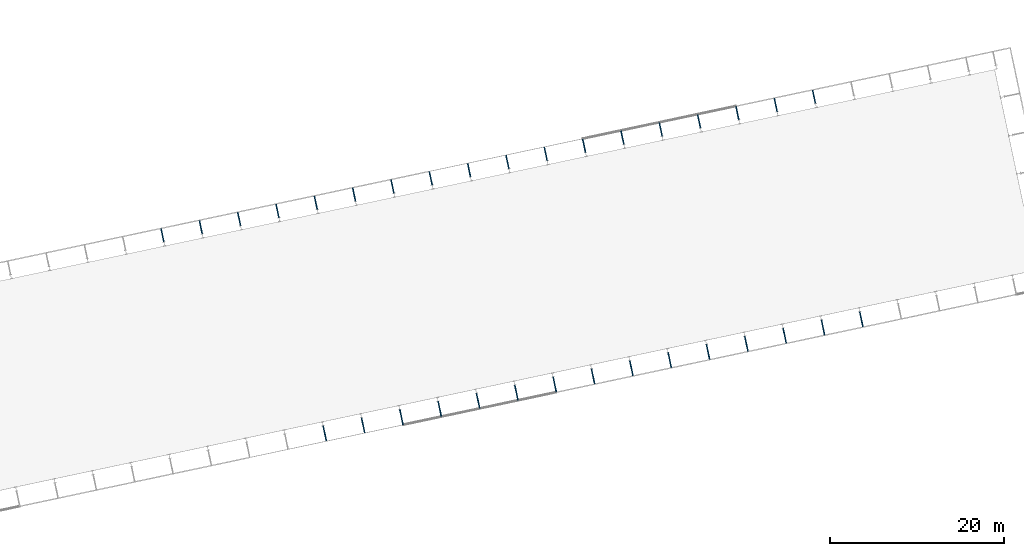
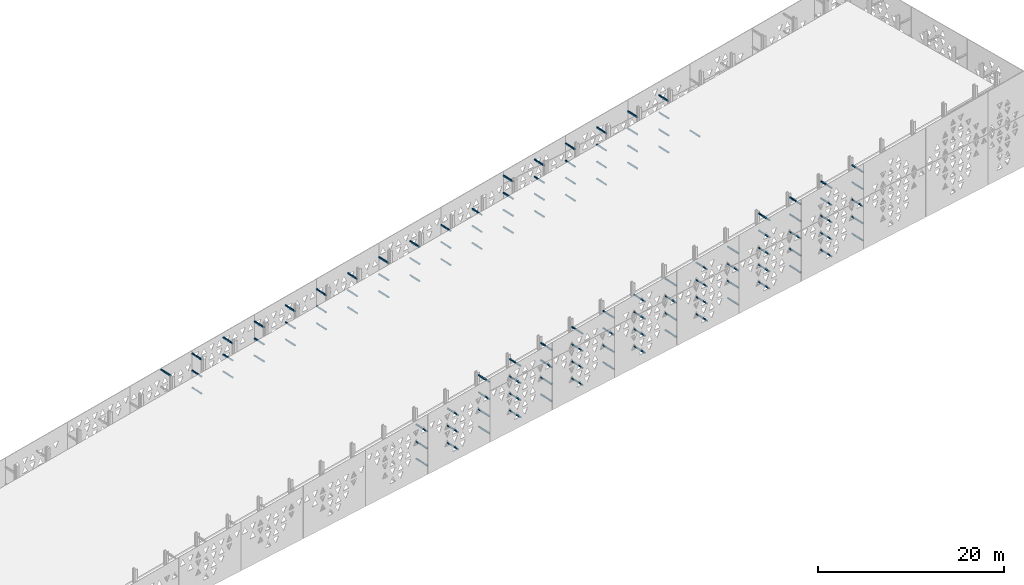
# One storey, part 32 of 41: 118 discrete accessories.
"""IFC4 building model written with IfcOpenShell, lengths in metres."""

from ifc_helpers import new_model, si_unit, direction, frame, origin, origin_2d, place, context, subcontext, project, spatial, rectangle, extrude, material, material_profile, profile_set, type_object, element, save


model = new_model("IFC4")

# Units and contexts
model_context = context("Model", 3, precision=1e-05, world=origin(), true_north=direction((0.0, 1.0)))
body_context = subcontext(model_context, "Body", "Model", "MODEL_VIEW")
ifc_project = project(units=[si_unit("LENGTHUNIT", "METRE"), si_unit("AREAUNIT", "SQUARE_METRE"), si_unit("VOLUMEUNIT", "CUBIC_METRE"), si_unit("PLANEANGLEUNIT", "RADIAN"), si_unit("MASSUNIT", "GRAM", prefix="KILO")], contexts=[model_context])

# Site, building, storey
site_placement = place(None, origin())
site = spatial("IfcSite", under=ifc_project, at=site_placement, CompositionType="ELEMENT")
building_placement = place(site_placement, origin())
building = spatial("IfcBuilding", under=site, at=building_placement, Name="Okhra Congress Centre", CompositionType="ELEMENT")
storey_placement = place(building_placement, frame((0.0, 0.0, 21.60009765625)))
storey = spatial("IfcBuildingStorey", under=building, at=storey_placement, Name="ROOF", CompositionType="ELEMENT", Elevation=21.60009765625)

# Discrete accessories
ifc_material = material(Name="Steel S355J2 outrigger, galvanised", Category="steel")
ifc_material_profile = material_profile(ifc_material, rectangle(XDim=0.1201171875, YDim=0.1201171875, at=origin_2d()), Name="Screen outrigger bracket 120x120")
ifc_profile_set = profile_set([ifc_material_profile], Name="Steel S355J2 outrigger, galvanised")
discrete_accessory_type = type_object("IfcDiscreteAccessoryType", Name="Screen outrigger bracket 120x120", PredefinedType="BRACKET", material=ifc_profile_set)
for number, where, z_axis, x_axis, name in (
    (1, (117.5986328125, 63.598388671875, 5.809814453125), (-0.207952044176, 0.978139022493, 0.0), (-0.978139022493, -0.207952044176, 0.0), "Screen outrigger 242"),
    (2, (122.000244140625, 64.533935546875, 1.329833984375), (-0.207802780084, 0.978170744088, 0.0), (-0.978170744088, -0.207802780084, 0.0), "Screen outrigger 258"),
    (3, (122.000244140625, 64.533935546875, 3.56982421875), (-0.207802780084, 0.978170744088, 0.0), (-0.978170744088, -0.207802780084, 0.0), "Screen outrigger 259"),
    (4, (122.000244140625, 64.533935546875, 5.809814453125), (-0.207802780084, 0.978170744088, 0.0), (-0.978170744088, -0.207802780084, 0.0), "Screen outrigger 260"),
    (5, (126.402099609375, 65.4697265625, 1.329833984375), (-0.207952044176, 0.978139022493, 0.0), (-0.978139022493, -0.207952044176, 0.0), "Screen outrigger 276"),
    (6, (126.402099609375, 65.4697265625, 3.56982421875), (-0.207952044176, 0.978139022493, 0.0), (-0.978139022493, -0.207952044176, 0.0), "Screen outrigger 277"),
    (7, (126.402099609375, 65.4697265625, 5.809814453125), (-0.207952044176, 0.978139022493, 0.0), (-0.978139022493, -0.207952044176, 0.0), "Screen outrigger 278"),
):
    element("IfcDiscreteAccessory", number, at=place(storey_placement, frame(where, z_axis=z_axis, x_axis=x_axis)), inside=storey, type_object=discrete_accessory_type, Name=name, PredefinedType="BRACKET", context=body_context, shape_type="SweptSolid", body=[
        extrude(rectangle(XDim=0.1201171875, YDim=0.1201171875, at=origin_2d()), origin(), (0.0, 0.0, 1.0), 1.56494140625),
    ])
for number, where, z_axis, x_axis, name in (
    (8, (135.885009765625, 42.499267578125, 1.329833984375), (0.207913352163, -0.978147247602, 0.0), (0.978147247602, 0.207913352163, 0.0), "Screen outrigger 285"),
    (9, (135.885009765625, 42.499267578125, 3.56982421875), (0.207913352163, -0.978147247602, 0.0), (0.978147247602, 0.207913352163, 0.0), "Screen outrigger 286"),
    (10, (135.885009765625, 42.499267578125, 5.809814453125), (0.207913352163, -0.978147247602, 0.0), (0.978147247602, 0.207913352163, 0.0), "Screen outrigger 287"),
):
    element("IfcDiscreteAccessory", number, at=place(storey_placement, frame(where, z_axis=z_axis, x_axis=x_axis)), inside=storey, type_object=discrete_accessory_type, Name=name, PredefinedType="BRACKET", context=body_context, shape_type="SweptSolid", body=[
        extrude(rectangle(XDim=0.1201171875, YDim=0.1201171875, at=origin_2d()), origin(), (0.0, 0.0, 1.0), 1.764892578125),
    ])
for number, where, z_axis, x_axis, name in (
    (11, (130.8037109375, 66.4052734375, 1.329833984375), (-0.207952044176, 0.978139022493, 0.0), (-0.978139022493, -0.207952044176, 0.0), "Screen outrigger 294"),
    (12, (130.8037109375, 66.4052734375, 3.56982421875), (-0.207952044176, 0.978139022493, 0.0), (-0.978139022493, -0.207952044176, 0.0), "Screen outrigger 295"),
    (13, (130.8037109375, 66.4052734375, 5.809814453125), (-0.207952044176, 0.978139022493, 0.0), (-0.978139022493, -0.207952044176, 0.0), "Screen outrigger 296"),
):
    element("IfcDiscreteAccessory", number, at=place(storey_placement, frame(where, z_axis=z_axis, x_axis=x_axis)), inside=storey, type_object=discrete_accessory_type, Name=name, PredefinedType="BRACKET", context=body_context, shape_type="SweptSolid", body=[
        extrude(rectangle(XDim=0.1201171875, YDim=0.1201171875, at=origin_2d()), origin(), (0.0, 0.0, 1.0), 1.56494140625),
    ])
for number, where, z_axis, x_axis, name in (
    (14, (140.28662109375, 43.434814453125, 1.329833984375), (0.207913352163, -0.978147247602, 0.0), (0.978147247602, 0.207913352163, 0.0), "Screen outrigger 303"),
    (15, (140.28662109375, 43.434814453125, 3.56982421875), (0.207913352163, -0.978147247602, 0.0), (0.978147247602, 0.207913352163, 0.0), "Screen outrigger 304"),
    (16, (140.28662109375, 43.434814453125, 5.809814453125), (0.207913352163, -0.978147247602, 0.0), (0.978147247602, 0.207913352163, 0.0), "Screen outrigger 305"),
):
    element("IfcDiscreteAccessory", number, at=place(storey_placement, frame(where, z_axis=z_axis, x_axis=x_axis)), inside=storey, type_object=discrete_accessory_type, Name=name, PredefinedType="BRACKET", context=body_context, shape_type="SweptSolid", body=[
        extrude(rectangle(XDim=0.1201171875, YDim=0.1201171875, at=origin_2d()), origin(), (0.0, 0.0, 1.0), 1.764892578125),
    ])
for number, where, z_axis, x_axis, name in (
    (17, (135.205322265625, 67.3408203125, 1.329833984375), (-0.207952044176, 0.978139022493, 0.0), (-0.978139022493, -0.207952044176, 0.0), "Screen outrigger 312"),
    (18, (135.205322265625, 67.3408203125, 3.56982421875), (-0.207952044176, 0.978139022493, 0.0), (-0.978139022493, -0.207952044176, 0.0), "Screen outrigger 313"),
    (19, (135.205322265625, 67.3408203125, 5.809814453125), (-0.207952044176, 0.978139022493, 0.0), (-0.978139022493, -0.207952044176, 0.0), "Screen outrigger 314"),
):
    element("IfcDiscreteAccessory", number, at=place(storey_placement, frame(where, z_axis=z_axis, x_axis=x_axis)), inside=storey, type_object=discrete_accessory_type, Name=name, PredefinedType="BRACKET", context=body_context, shape_type="SweptSolid", body=[
        extrude(rectangle(XDim=0.1201171875, YDim=0.1201171875, at=origin_2d()), origin(), (0.0, 0.0, 1.0), 1.56494140625),
    ])
for number, where, z_axis, x_axis, name in (
    (20, (144.688232421875, 44.37060546875, 1.329833984375), (0.208017553693, -0.978125092897, 0.0), (0.978125092897, 0.208017553693, 0.0), "Screen outrigger 321"),
    (21, (144.688232421875, 44.37060546875, 3.56982421875), (0.208017553693, -0.978125092897, 0.0), (0.978125092897, 0.208017553693, 0.0), "Screen outrigger 322"),
    (22, (144.688232421875, 44.37060546875, 5.809814453125), (0.208017553693, -0.978125092897, 0.0), (0.978125092897, 0.208017553693, 0.0), "Screen outrigger 323"),
    (23, (144.688232421875, 44.37060546875, 8.06982421875), (0.208017553693, -0.978125092897, 0.0), (0.978125092897, 0.208017553693, 0.0), "Screen outrigger 324"),
):
    element("IfcDiscreteAccessory", number, at=place(storey_placement, frame(where, z_axis=z_axis, x_axis=x_axis)), inside=storey, type_object=discrete_accessory_type, Name=name, PredefinedType="BRACKET", context=body_context, shape_type="SweptSolid", body=[
        extrude(rectangle(XDim=0.1201171875, YDim=0.1201171875, at=origin_2d()), origin(), (0.0, 0.0, 1.0), 1.76513671875),
    ])
for number, where, z_axis, x_axis, name in (
    (24, (139.60693359375, 68.2763671875, 1.329833984375), (-0.207952044176, 0.978139022493, 0.0), (-0.978139022493, -0.207952044176, 0.0), "Screen outrigger 331"),
    (25, (139.60693359375, 68.2763671875, 3.56982421875), (-0.207952044176, 0.978139022493, 0.0), (-0.978139022493, -0.207952044176, 0.0), "Screen outrigger 332"),
    (26, (139.60693359375, 68.2763671875, 5.809814453125), (-0.207952044176, 0.978139022493, 0.0), (-0.978139022493, -0.207952044176, 0.0), "Screen outrigger 333"),
):
    element("IfcDiscreteAccessory", number, at=place(storey_placement, frame(where, z_axis=z_axis, x_axis=x_axis)), inside=storey, type_object=discrete_accessory_type, Name=name, PredefinedType="BRACKET", context=body_context, shape_type="SweptSolid", body=[
        extrude(rectangle(XDim=0.1201171875, YDim=0.1201171875, at=origin_2d()), origin(), (0.0, 0.0, 1.0), 1.56494140625),
    ])
for number, where, z_axis, x_axis, name in (
    (27, (149.090087890625, 45.30615234375, 1.329833984375), (0.207885223274, -0.97815322621, 0.0), (0.97815322621, 0.207885223274, 0.0), "Screen outrigger 340"),
    (28, (149.090087890625, 45.30615234375, 3.56982421875), (0.207885223274, -0.97815322621, 0.0), (0.97815322621, 0.207885223274, 0.0), "Screen outrigger 341"),
    (29, (149.090087890625, 45.30615234375, 5.809814453125), (0.207885223274, -0.97815322621, 0.0), (0.97815322621, 0.207885223274, 0.0), "Screen outrigger 342"),
    (30, (149.090087890625, 45.30615234375, 8.06982421875), (0.207885223274, -0.97815322621, 0.0), (0.97815322621, 0.207885223274, 0.0), "Screen outrigger 343"),
):
    element("IfcDiscreteAccessory", number, at=place(storey_placement, frame(where, z_axis=z_axis, x_axis=x_axis)), inside=storey, type_object=discrete_accessory_type, Name=name, PredefinedType="BRACKET", context=body_context, shape_type="SweptSolid", body=[
        extrude(rectangle(XDim=0.1201171875, YDim=0.1201171875, at=origin_2d()), origin(), (0.0, 0.0, 1.0), 1.76513671875),
    ])
for number, where, z_axis, x_axis, name in (
    (31, (144.008544921875, 69.2119140625, 1.329833984375), (-0.207771073578, 0.978177479287, 0.0), (-0.978177479287, -0.207771073578, 0.0), "Screen outrigger 350"),
    (32, (144.008544921875, 69.2119140625, 3.56982421875), (-0.207771073578, 0.978177479287, 0.0), (-0.978177479287, -0.207771073578, 0.0), "Screen outrigger 351"),
    (33, (144.008544921875, 69.2119140625, 5.809814453125), (-0.207771073578, 0.978177479287, 0.0), (-0.978177479287, -0.207771073578, 0.0), "Screen outrigger 352"),
):
    element("IfcDiscreteAccessory", number, at=place(storey_placement, frame(where, z_axis=z_axis, x_axis=x_axis)), inside=storey, type_object=discrete_accessory_type, Name=name, PredefinedType="BRACKET", context=body_context, shape_type="SweptSolid", body=[
        extrude(rectangle(XDim=0.1201171875, YDim=0.1201171875, at=origin_2d()), origin(), (0.0, 0.0, 1.0), 1.565185546875),
    ])
for number, where, z_axis, x_axis, name in (
    (34, (153.49169921875, 46.24169921875, 1.329833984375), (0.207913352163, -0.978147247602, 0.0), (0.978147247602, 0.207913352163, 0.0), "Screen outrigger 359"),
    (35, (153.49169921875, 46.24169921875, 3.56982421875), (0.207913352163, -0.978147247602, 0.0), (0.978147247602, 0.207913352163, 0.0), "Screen outrigger 360"),
    (36, (153.49169921875, 46.24169921875, 5.809814453125), (0.207913352163, -0.978147247602, 0.0), (0.978147247602, 0.207913352163, 0.0), "Screen outrigger 361"),
    (37, (153.49169921875, 46.24169921875, 8.06982421875), (0.207913352163, -0.978147247602, 0.0), (0.978147247602, 0.207913352163, 0.0), "Screen outrigger 362"),
):
    element("IfcDiscreteAccessory", number, at=place(storey_placement, frame(where, z_axis=z_axis, x_axis=x_axis)), inside=storey, type_object=discrete_accessory_type, Name=name, PredefinedType="BRACKET", context=body_context, shape_type="SweptSolid", body=[
        extrude(rectangle(XDim=0.1201171875, YDim=0.1201171875, at=origin_2d()), origin(), (0.0, 0.0, 1.0), 1.764892578125),
    ])
for number, where, z_axis, x_axis, name in (
    (38, (148.410400390625, 70.147705078125, 1.329833984375), (-0.207952044176, 0.978139022493, 0.0), (-0.978139022493, -0.207952044176, 0.0), "Screen outrigger 369"),
    (39, (148.410400390625, 70.147705078125, 3.56982421875), (-0.207952044176, 0.978139022493, 0.0), (-0.978139022493, -0.207952044176, 0.0), "Screen outrigger 370"),
    (40, (148.410400390625, 70.147705078125, 5.809814453125), (-0.207952044176, 0.978139022493, 0.0), (-0.978139022493, -0.207952044176, 0.0), "Screen outrigger 371"),
):
    element("IfcDiscreteAccessory", number, at=place(storey_placement, frame(where, z_axis=z_axis, x_axis=x_axis)), inside=storey, type_object=discrete_accessory_type, Name=name, PredefinedType="BRACKET", context=body_context, shape_type="SweptSolid", body=[
        extrude(rectangle(XDim=0.1201171875, YDim=0.1201171875, at=origin_2d()), origin(), (0.0, 0.0, 1.0), 1.56494140625),
    ])
for number, where, z_axis, x_axis, name in (
    (41, (157.893310546875, 47.17724609375, 1.329833984375), (0.207913352163, -0.978147247602, 0.0), (0.978147247602, 0.207913352163, 0.0), "Screen outrigger 378"),
    (42, (157.893310546875, 47.17724609375, 3.56982421875), (0.207913352163, -0.978147247602, 0.0), (0.978147247602, 0.207913352163, 0.0), "Screen outrigger 379"),
    (43, (157.893310546875, 47.17724609375, 5.809814453125), (0.207913352163, -0.978147247602, 0.0), (0.978147247602, 0.207913352163, 0.0), "Screen outrigger 380"),
    (44, (157.893310546875, 47.17724609375, 8.06982421875), (0.207913352163, -0.978147247602, 0.0), (0.978147247602, 0.207913352163, 0.0), "Screen outrigger 381"),
):
    element("IfcDiscreteAccessory", number, at=place(storey_placement, frame(where, z_axis=z_axis, x_axis=x_axis)), inside=storey, type_object=discrete_accessory_type, Name=name, PredefinedType="BRACKET", context=body_context, shape_type="SweptSolid", body=[
        extrude(rectangle(XDim=0.1201171875, YDim=0.1201171875, at=origin_2d()), origin(), (0.0, 0.0, 1.0), 1.764892578125),
    ])
for number, where, z_axis, x_axis, name in (
    (45, (152.81201171875, 71.083251953125, 1.329833984375), (-0.207952044176, 0.978139022493, 0.0), (-0.978139022493, -0.207952044176, 0.0), "Screen outrigger 388"),
    (46, (152.81201171875, 71.083251953125, 3.56982421875), (-0.207952044176, 0.978139022493, 0.0), (-0.978139022493, -0.207952044176, 0.0), "Screen outrigger 389"),
    (47, (152.81201171875, 71.083251953125, 5.809814453125), (-0.207952044176, 0.978139022493, 0.0), (-0.978139022493, -0.207952044176, 0.0), "Screen outrigger 390"),
):
    element("IfcDiscreteAccessory", number, at=place(storey_placement, frame(where, z_axis=z_axis, x_axis=x_axis)), inside=storey, type_object=discrete_accessory_type, Name=name, PredefinedType="BRACKET", context=body_context, shape_type="SweptSolid", body=[
        extrude(rectangle(XDim=0.1201171875, YDim=0.1201171875, at=origin_2d()), origin(), (0.0, 0.0, 1.0), 1.56494140625),
    ])
for number, where, z_axis, x_axis, name in (
    (48, (162.294921875, 48.11279296875, 1.329833984375), (0.207913352163, -0.978147247602, 0.0), (0.978147247602, 0.207913352163, 0.0), "Screen outrigger 397"),
    (49, (162.294921875, 48.11279296875, 3.56982421875), (0.207913352163, -0.978147247602, 0.0), (0.978147247602, 0.207913352163, 0.0), "Screen outrigger 398"),
    (50, (162.294921875, 48.11279296875, 5.809814453125), (0.207913352163, -0.978147247602, 0.0), (0.978147247602, 0.207913352163, 0.0), "Screen outrigger 399"),
    (51, (162.294921875, 48.11279296875, 8.06982421875), (0.207913352163, -0.978147247602, 0.0), (0.978147247602, 0.207913352163, 0.0), "Screen outrigger 400"),
):
    element("IfcDiscreteAccessory", number, at=place(storey_placement, frame(where, z_axis=z_axis, x_axis=x_axis)), inside=storey, type_object=discrete_accessory_type, Name=name, PredefinedType="BRACKET", context=body_context, shape_type="SweptSolid", body=[
        extrude(rectangle(XDim=0.1201171875, YDim=0.1201171875, at=origin_2d()), origin(), (0.0, 0.0, 1.0), 1.764892578125),
    ])
for number, where, z_axis, x_axis, name in (
    (52, (157.213623046875, 72.018798828125, 1.329833984375), (-0.207952044176, 0.978139022493, 0.0), (-0.978139022493, -0.207952044176, 0.0), "Screen outrigger 407"),
    (53, (157.213623046875, 72.018798828125, 3.56982421875), (-0.207952044176, 0.978139022493, 0.0), (-0.978139022493, -0.207952044176, 0.0), "Screen outrigger 408"),
    (54, (157.213623046875, 72.018798828125, 5.809814453125), (-0.207952044176, 0.978139022493, 0.0), (-0.978139022493, -0.207952044176, 0.0), "Screen outrigger 409"),
):
    element("IfcDiscreteAccessory", number, at=place(storey_placement, frame(where, z_axis=z_axis, x_axis=x_axis)), inside=storey, type_object=discrete_accessory_type, Name=name, PredefinedType="BRACKET", context=body_context, shape_type="SweptSolid", body=[
        extrude(rectangle(XDim=0.1201171875, YDim=0.1201171875, at=origin_2d()), origin(), (0.0, 0.0, 1.0), 1.56494140625),
    ])
for number, where, z_axis, x_axis, name in (
    (55, (166.69677734375, 49.048583984375, 1.329833984375), (0.207885223274, -0.97815322621, 0.0), (0.97815322621, 0.207885223274, 0.0), "Screen outrigger 416"),
    (56, (166.69677734375, 49.048583984375, 3.56982421875), (0.207885223274, -0.97815322621, 0.0), (0.97815322621, 0.207885223274, 0.0), "Screen outrigger 417"),
    (57, (166.69677734375, 49.048583984375, 5.809814453125), (0.207885223274, -0.97815322621, 0.0), (0.97815322621, 0.207885223274, 0.0), "Screen outrigger 418"),
    (58, (166.69677734375, 49.048583984375, 8.06982421875), (0.207885223274, -0.97815322621, 0.0), (0.97815322621, 0.207885223274, 0.0), "Screen outrigger 419"),
):
    element("IfcDiscreteAccessory", number, at=place(storey_placement, frame(where, z_axis=z_axis, x_axis=x_axis)), inside=storey, type_object=discrete_accessory_type, Name=name, PredefinedType="BRACKET", context=body_context, shape_type="SweptSolid", body=[
        extrude(rectangle(XDim=0.1201171875, YDim=0.1201171875, at=origin_2d()), origin(), (0.0, 0.0, 1.0), 1.76513671875),
    ])
for number, where, z_axis, x_axis, name in (
    (59, (161.615234375, 72.954345703125, 1.329833984375), (-0.207771073578, 0.978177479287, 0.0), (-0.978177479287, -0.207771073578, 0.0), "Screen outrigger 426"),
    (60, (161.615234375, 72.954345703125, 3.56982421875), (-0.207771073578, 0.978177479287, 0.0), (-0.978177479287, -0.207771073578, 0.0), "Screen outrigger 427"),
    (61, (161.615234375, 72.954345703125, 5.809814453125), (-0.207771073578, 0.978177479287, 0.0), (-0.978177479287, -0.207771073578, 0.0), "Screen outrigger 428"),
):
    element("IfcDiscreteAccessory", number, at=place(storey_placement, frame(where, z_axis=z_axis, x_axis=x_axis)), inside=storey, type_object=discrete_accessory_type, Name=name, PredefinedType="BRACKET", context=body_context, shape_type="SweptSolid", body=[
        extrude(rectangle(XDim=0.1201171875, YDim=0.1201171875, at=origin_2d()), origin(), (0.0, 0.0, 1.0), 1.565185546875),
    ])
for number, where, z_axis, x_axis, name in (
    (62, (171.098388671875, 49.984130859375, 1.329833984375), (0.207885223274, -0.97815322621, 0.0), (0.97815322621, 0.207885223274, 0.0), "Screen outrigger 435"),
    (63, (171.098388671875, 49.984130859375, 3.56982421875), (0.207885223274, -0.97815322621, 0.0), (0.97815322621, 0.207885223274, 0.0), "Screen outrigger 436"),
    (64, (171.098388671875, 49.984130859375, 5.809814453125), (0.207885223274, -0.97815322621, 0.0), (0.97815322621, 0.207885223274, 0.0), "Screen outrigger 437"),
    (65, (171.098388671875, 49.984130859375, 8.06982421875), (0.207885223274, -0.97815322621, 0.0), (0.97815322621, 0.207885223274, 0.0), "Screen outrigger 438"),
):
    element("IfcDiscreteAccessory", number, at=place(storey_placement, frame(where, z_axis=z_axis, x_axis=x_axis)), inside=storey, type_object=discrete_accessory_type, Name=name, PredefinedType="BRACKET", context=body_context, shape_type="SweptSolid", body=[
        extrude(rectangle(XDim=0.1201171875, YDim=0.1201171875, at=origin_2d()), origin(), (0.0, 0.0, 1.0), 1.76513671875),
    ])
for number, where, z_axis, x_axis, name in (
    (66, (166.01708984375, 73.89013671875, 1.329833984375), (-0.207952044176, 0.978139022493, 0.0), (-0.978139022493, -0.207952044176, 0.0), "Screen outrigger 445"),
    (67, (166.01708984375, 73.89013671875, 3.56982421875), (-0.207952044176, 0.978139022493, 0.0), (-0.978139022493, -0.207952044176, 0.0), "Screen outrigger 446"),
    (68, (166.01708984375, 73.89013671875, 5.809814453125), (-0.207952044176, 0.978139022493, 0.0), (-0.978139022493, -0.207952044176, 0.0), "Screen outrigger 447"),
    (69, (166.01708984375, 73.89013671875, 8.06982421875), (-0.207952044176, 0.978139022493, 0.0), (-0.978139022493, -0.207952044176, 0.0), "Screen outrigger 448"),
):
    element("IfcDiscreteAccessory", number, at=place(storey_placement, frame(where, z_axis=z_axis, x_axis=x_axis)), inside=storey, type_object=discrete_accessory_type, Name=name, PredefinedType="BRACKET", context=body_context, shape_type="SweptSolid", body=[
        extrude(rectangle(XDim=0.1201171875, YDim=0.1201171875, at=origin_2d()), origin(), (0.0, 0.0, 1.0), 1.56494140625),
    ])
for number, where, z_axis, x_axis, name in (
    (70, (175.5, 50.919677734375, 1.329833984375), (0.207913352163, -0.978147247602, 0.0), (0.978147247602, 0.207913352163, 0.0), "Screen outrigger 455"),
    (71, (175.5, 50.919677734375, 3.56982421875), (0.207913352163, -0.978147247602, 0.0), (0.978147247602, 0.207913352163, 0.0), "Screen outrigger 456"),
    (72, (175.5, 50.919677734375, 5.809814453125), (0.207913352163, -0.978147247602, 0.0), (0.978147247602, 0.207913352163, 0.0), "Screen outrigger 457"),
    (73, (175.5, 50.919677734375, 8.06982421875), (0.207913352163, -0.978147247602, 0.0), (0.978147247602, 0.207913352163, 0.0), "Screen outrigger 458"),
):
    element("IfcDiscreteAccessory", number, at=place(storey_placement, frame(where, z_axis=z_axis, x_axis=x_axis)), inside=storey, type_object=discrete_accessory_type, Name=name, PredefinedType="BRACKET", context=body_context, shape_type="SweptSolid", body=[
        extrude(rectangle(XDim=0.1201171875, YDim=0.1201171875, at=origin_2d()), origin(), (0.0, 0.0, 1.0), 1.764892578125),
    ])
for number, where, z_axis, x_axis, name in (
    (74, (170.418701171875, 74.82568359375, 1.329833984375), (-0.207952044176, 0.978139022493, 0.0), (-0.978139022493, -0.207952044176, 0.0), "Screen outrigger 465"),
    (75, (170.418701171875, 74.82568359375, 3.56982421875), (-0.207952044176, 0.978139022493, 0.0), (-0.978139022493, -0.207952044176, 0.0), "Screen outrigger 466"),
    (76, (170.418701171875, 74.82568359375, 5.809814453125), (-0.207952044176, 0.978139022493, 0.0), (-0.978139022493, -0.207952044176, 0.0), "Screen outrigger 467"),
    (77, (170.418701171875, 74.82568359375, 8.06982421875), (-0.207952044176, 0.978139022493, 0.0), (-0.978139022493, -0.207952044176, 0.0), "Screen outrigger 468"),
):
    element("IfcDiscreteAccessory", number, at=place(storey_placement, frame(where, z_axis=z_axis, x_axis=x_axis)), inside=storey, type_object=discrete_accessory_type, Name=name, PredefinedType="BRACKET", context=body_context, shape_type="SweptSolid", body=[
        extrude(rectangle(XDim=0.1201171875, YDim=0.1201171875, at=origin_2d()), origin(), (0.0, 0.0, 1.0), 1.56494140625),
    ])
for number, where, z_axis, x_axis, name in (
    (78, (179.901611328125, 51.855224609375, 1.329833984375), (0.207913352163, -0.978147247602, 0.0), (0.978147247602, 0.207913352163, 0.0), "Screen outrigger 475"),
    (79, (179.901611328125, 51.855224609375, 3.56982421875), (0.207913352163, -0.978147247602, 0.0), (0.978147247602, 0.207913352163, 0.0), "Screen outrigger 476"),
    (80, (179.901611328125, 51.855224609375, 5.809814453125), (0.207913352163, -0.978147247602, 0.0), (0.978147247602, 0.207913352163, 0.0), "Screen outrigger 477"),
    (81, (179.901611328125, 51.855224609375, 8.06982421875), (0.207913352163, -0.978147247602, 0.0), (0.978147247602, 0.207913352163, 0.0), "Screen outrigger 478"),
):
    element("IfcDiscreteAccessory", number, at=place(storey_placement, frame(where, z_axis=z_axis, x_axis=x_axis)), inside=storey, type_object=discrete_accessory_type, Name=name, PredefinedType="BRACKET", context=body_context, shape_type="SweptSolid", body=[
        extrude(rectangle(XDim=0.1201171875, YDim=0.1201171875, at=origin_2d()), origin(), (0.0, 0.0, 1.0), 1.764892578125),
    ])
for number, where, z_axis, x_axis, name in (
    (82, (174.8203125, 75.76123046875, 1.329833984375), (-0.207952044176, 0.978139022493, 0.0), (-0.978139022493, -0.207952044176, 0.0), "Screen outrigger 485"),
    (83, (174.8203125, 75.76123046875, 3.56982421875), (-0.207952044176, 0.978139022493, 0.0), (-0.978139022493, -0.207952044176, 0.0), "Screen outrigger 486"),
    (84, (174.8203125, 75.76123046875, 5.809814453125), (-0.207952044176, 0.978139022493, 0.0), (-0.978139022493, -0.207952044176, 0.0), "Screen outrigger 487"),
    (85, (174.8203125, 75.76123046875, 8.06982421875), (-0.207952044176, 0.978139022493, 0.0), (-0.978139022493, -0.207952044176, 0.0), "Screen outrigger 488"),
):
    element("IfcDiscreteAccessory", number, at=place(storey_placement, frame(where, z_axis=z_axis, x_axis=x_axis)), inside=storey, type_object=discrete_accessory_type, Name=name, PredefinedType="BRACKET", context=body_context, shape_type="SweptSolid", body=[
        extrude(rectangle(XDim=0.1201171875, YDim=0.1201171875, at=origin_2d()), origin(), (0.0, 0.0, 1.0), 1.56494140625),
    ])
for number, where, z_axis, x_axis, name in (
    (86, (184.30322265625, 52.791015625, 1.329833984375), (0.208017553693, -0.978125092897, 0.0), (0.978125092897, 0.208017553693, 0.0), "Screen outrigger 495"),
    (87, (184.30322265625, 52.791015625, 3.56982421875), (0.208017553693, -0.978125092897, 0.0), (0.978125092897, 0.208017553693, 0.0), "Screen outrigger 496"),
    (88, (184.30322265625, 52.791015625, 5.809814453125), (0.208017553693, -0.978125092897, 0.0), (0.978125092897, 0.208017553693, 0.0), "Screen outrigger 497"),
    (89, (184.30322265625, 52.791015625, 8.06982421875), (0.208017553693, -0.978125092897, 0.0), (0.978125092897, 0.208017553693, 0.0), "Screen outrigger 498"),
    (90, (184.30322265625, 52.791015625, 10.309814453125), (0.208017553693, -0.978125092897, 0.0), (0.978125092897, 0.208017553693, 0.0), "Screen outrigger 499"),
):
    element("IfcDiscreteAccessory", number, at=place(storey_placement, frame(where, z_axis=z_axis, x_axis=x_axis)), inside=storey, type_object=discrete_accessory_type, Name=name, PredefinedType="BRACKET", context=body_context, shape_type="SweptSolid", body=[
        extrude(rectangle(XDim=0.1201171875, YDim=0.1201171875, at=origin_2d()), origin(), (0.0, 0.0, 1.0), 1.76513671875),
    ])
for number, where, z_axis, x_axis, name in (
    (91, (179.221923828125, 76.69677734375, 1.329833984375), (-0.207952044176, 0.978139022493, 0.0), (-0.978139022493, -0.207952044176, 0.0), "Screen outrigger 506"),
    (92, (179.221923828125, 76.69677734375, 3.56982421875), (-0.207952044176, 0.978139022493, 0.0), (-0.978139022493, -0.207952044176, 0.0), "Screen outrigger 507"),
    (93, (179.221923828125, 76.69677734375, 5.809814453125), (-0.207952044176, 0.978139022493, 0.0), (-0.978139022493, -0.207952044176, 0.0), "Screen outrigger 508"),
    (94, (179.221923828125, 76.69677734375, 8.06982421875), (-0.207952044176, 0.978139022493, 0.0), (-0.978139022493, -0.207952044176, 0.0), "Screen outrigger 509"),
):
    element("IfcDiscreteAccessory", number, at=place(storey_placement, frame(where, z_axis=z_axis, x_axis=x_axis)), inside=storey, type_object=discrete_accessory_type, Name=name, PredefinedType="BRACKET", context=body_context, shape_type="SweptSolid", body=[
        extrude(rectangle(XDim=0.1201171875, YDim=0.1201171875, at=origin_2d()), origin(), (0.0, 0.0, 1.0), 1.56494140625),
    ])
for number, where, z_axis, x_axis, name in (
    (95, (188.705078125, 53.7265625, 1.329833984375), (0.207885223274, -0.97815322621, 0.0), (0.97815322621, 0.207885223274, 0.0), "Screen outrigger 516"),
    (96, (188.705078125, 53.7265625, 3.56982421875), (0.207885223274, -0.97815322621, 0.0), (0.97815322621, 0.207885223274, 0.0), "Screen outrigger 517"),
    (97, (188.705078125, 53.7265625, 5.809814453125), (0.207885223274, -0.97815322621, 0.0), (0.97815322621, 0.207885223274, 0.0), "Screen outrigger 518"),
    (98, (188.705078125, 53.7265625, 8.06982421875), (0.207885223274, -0.97815322621, 0.0), (0.97815322621, 0.207885223274, 0.0), "Screen outrigger 519"),
    (99, (188.705078125, 53.7265625, 10.309814453125), (0.207885223274, -0.97815322621, 0.0), (0.97815322621, 0.207885223274, 0.0), "Screen outrigger 520"),
):
    element("IfcDiscreteAccessory", number, at=place(storey_placement, frame(where, z_axis=z_axis, x_axis=x_axis)), inside=storey, type_object=discrete_accessory_type, Name=name, PredefinedType="BRACKET", context=body_context, shape_type="SweptSolid", body=[
        extrude(rectangle(XDim=0.1201171875, YDim=0.1201171875, at=origin_2d()), origin(), (0.0, 0.0, 1.0), 1.76513671875),
    ])
for number, where, z_axis, x_axis, name in (
    (100, (183.62353515625, 77.632568359375, 1.329833984375), (-0.207802780084, 0.978170744088, 0.0), (-0.978170744088, -0.207802780084, 0.0), "Screen outrigger 527"),
    (101, (183.62353515625, 77.632568359375, 3.56982421875), (-0.207802780084, 0.978170744088, 0.0), (-0.978170744088, -0.207802780084, 0.0), "Screen outrigger 528"),
    (102, (183.62353515625, 77.632568359375, 5.809814453125), (-0.207802780084, 0.978170744088, 0.0), (-0.978170744088, -0.207802780084, 0.0), "Screen outrigger 529"),
    (103, (183.62353515625, 77.632568359375, 8.06982421875), (-0.207802780084, 0.978170744088, 0.0), (-0.978170744088, -0.207802780084, 0.0), "Screen outrigger 530"),
):
    element("IfcDiscreteAccessory", number, at=place(storey_placement, frame(where, z_axis=z_axis, x_axis=x_axis)), inside=storey, type_object=discrete_accessory_type, Name=name, PredefinedType="BRACKET", context=body_context, shape_type="SweptSolid", body=[
        extrude(rectangle(XDim=0.1201171875, YDim=0.1201171875, at=origin_2d()), origin(), (0.0, 0.0, 1.0), 1.56494140625),
    ])
for number, where, z_axis, x_axis, name in (
    (104, (193.106689453125, 54.662109375, 1.329833984375), (0.207913352163, -0.978147247602, 0.0), (0.978147247602, 0.207913352163, 0.0), "Screen outrigger 537"),
    (105, (193.106689453125, 54.662109375, 3.56982421875), (0.207913352163, -0.978147247602, 0.0), (0.978147247602, 0.207913352163, 0.0), "Screen outrigger 538"),
    (106, (193.106689453125, 54.662109375, 5.809814453125), (0.207913352163, -0.978147247602, 0.0), (0.978147247602, 0.207913352163, 0.0), "Screen outrigger 539"),
    (107, (193.106689453125, 54.662109375, 8.06982421875), (0.207913352163, -0.978147247602, 0.0), (0.978147247602, 0.207913352163, 0.0), "Screen outrigger 540"),
    (108, (193.106689453125, 54.662109375, 10.309814453125), (0.207913352163, -0.978147247602, 0.0), (0.978147247602, 0.207913352163, 0.0), "Screen outrigger 541"),
):
    element("IfcDiscreteAccessory", number, at=place(storey_placement, frame(where, z_axis=z_axis, x_axis=x_axis)), inside=storey, type_object=discrete_accessory_type, Name=name, PredefinedType="BRACKET", context=body_context, shape_type="SweptSolid", body=[
        extrude(rectangle(XDim=0.1201171875, YDim=0.1201171875, at=origin_2d()), origin(), (0.0, 0.0, 1.0), 1.764892578125),
    ])
for number, where, z_axis, x_axis, name in (
    (109, (188.025390625, 78.568115234375, 1.329833984375), (-0.207952044176, 0.978139022493, 0.0), (-0.978139022493, -0.207952044176, 0.0), "Screen outrigger 548"),
    (110, (188.025390625, 78.568115234375, 3.56982421875), (-0.207952044176, 0.978139022493, 0.0), (-0.978139022493, -0.207952044176, 0.0), "Screen outrigger 549"),
    (111, (188.025390625, 78.568115234375, 5.809814453125), (-0.207952044176, 0.978139022493, 0.0), (-0.978139022493, -0.207952044176, 0.0), "Screen outrigger 550"),
    (112, (188.025390625, 78.568115234375, 8.06982421875), (-0.207952044176, 0.978139022493, 0.0), (-0.978139022493, -0.207952044176, 0.0), "Screen outrigger 551"),
):
    element("IfcDiscreteAccessory", number, at=place(storey_placement, frame(where, z_axis=z_axis, x_axis=x_axis)), inside=storey, type_object=discrete_accessory_type, Name=name, PredefinedType="BRACKET", context=body_context, shape_type="SweptSolid", body=[
        extrude(rectangle(XDim=0.1201171875, YDim=0.1201171875, at=origin_2d()), origin(), (0.0, 0.0, 1.0), 1.56494140625),
    ])
for number, where, z_axis, x_axis, name in (
    (113, (197.50830078125, 55.59765625, 1.329833984375), (0.207913352163, -0.978147247602, 0.0), (0.978147247602, 0.207913352163, 0.0), "Screen outrigger 558"),
    (114, (197.50830078125, 55.59765625, 3.56982421875), (0.207913352163, -0.978147247602, 0.0), (0.978147247602, 0.207913352163, 0.0), "Screen outrigger 559"),
    (115, (197.50830078125, 55.59765625, 5.809814453125), (0.207913352163, -0.978147247602, 0.0), (0.978147247602, 0.207913352163, 0.0), "Screen outrigger 560"),
    (116, (197.50830078125, 55.59765625, 8.06982421875), (0.207913352163, -0.978147247602, 0.0), (0.978147247602, 0.207913352163, 0.0), "Screen outrigger 561"),
    (117, (197.50830078125, 55.59765625, 10.309814453125), (0.207913352163, -0.978147247602, 0.0), (0.978147247602, 0.207913352163, 0.0), "Screen outrigger 562"),
):
    element("IfcDiscreteAccessory", number, at=place(storey_placement, frame(where, z_axis=z_axis, x_axis=x_axis)), inside=storey, type_object=discrete_accessory_type, Name=name, PredefinedType="BRACKET", context=body_context, shape_type="SweptSolid", body=[
        extrude(rectangle(XDim=0.1201171875, YDim=0.1201171875, at=origin_2d()), origin(), (0.0, 0.0, 1.0), 1.764892578125),
    ])
discrete_accessory_placement = place(storey_placement, frame((192.427001953125, 79.503662109375, 1.329833984375), z_axis=(-0.207952044176, 0.978139022493, 0.0), x_axis=(-0.978139022493, -0.207952044176, 0.0)))
element("IfcDiscreteAccessory", 118, at=discrete_accessory_placement, inside=storey, type_object=discrete_accessory_type, Name="Screen outrigger 569", PredefinedType="BRACKET", context=body_context, shape_type="SweptSolid", body=[
    extrude(rectangle(XDim=0.1201171875, YDim=0.1201171875, at=origin_2d()), origin(), (0.0, 0.0, 1.0), 1.56494140625),
])

save(model, "model.ifc")
